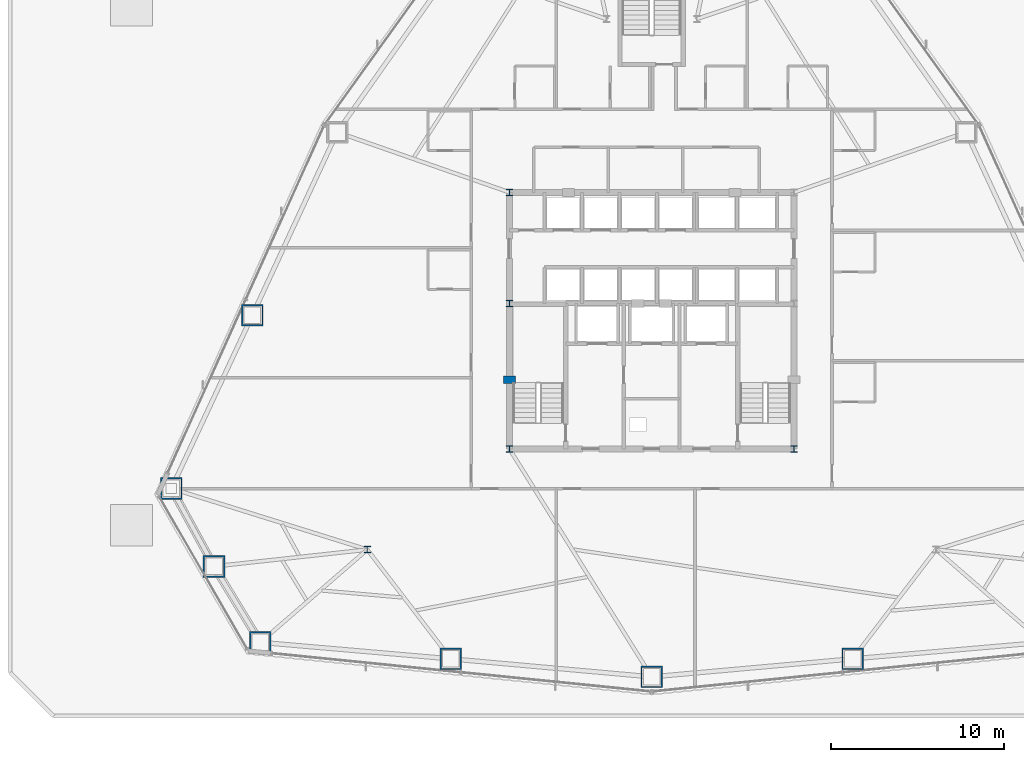
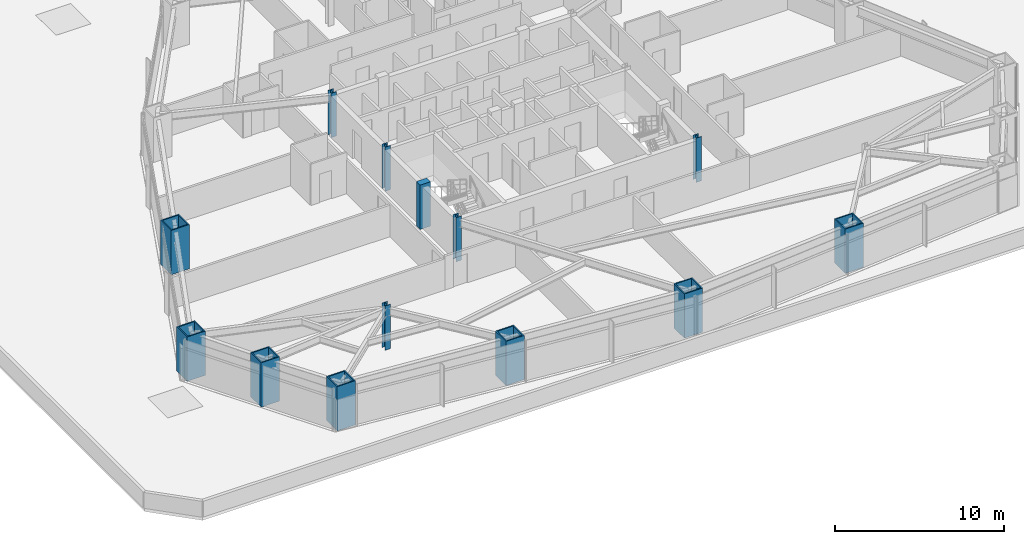
# One storey, part 1 of 17: 13 columns.
"""IFC4 building model written with IfcOpenShell, lengths in metres."""

from ifc_helpers import new_model, si_unit, direction, frame, origin, origin_2d, place, context, subcontext, project, spatial, rectangle, hollow_rectangle, i_section, extrude, material, material_profile, profile_set, type_object, element, save


model = new_model("IFC4")

# Units and contexts
model_context = context("Model", 3, precision=1e-05, world=origin(), true_north=direction((0.0, 1.0)))
body_context = subcontext(model_context, "Body", "Model", "MODEL_VIEW")
ifc_project = project(units=[si_unit("LENGTHUNIT", "METRE"), si_unit("AREAUNIT", "SQUARE_METRE"), si_unit("VOLUMEUNIT", "CUBIC_METRE"), si_unit("PLANEANGLEUNIT", "RADIAN"), si_unit("MASSUNIT", "GRAM", prefix="KILO")], contexts=[model_context])

# Site, building, storey
site_placement = place(None, origin())
site = spatial("IfcSite", under=ifc_project, at=site_placement, CompositionType="ELEMENT")
building_placement = place(site_placement, origin())
building = spatial("IfcBuilding", under=site, at=building_placement, Name="Varakhsha Concourse Tower", CompositionType="ELEMENT")
storey_placement = place(building_placement, frame((0.0, 0.0, 27.199951171875)))
storey = spatial("IfcBuildingStorey", under=building, at=storey_placement, Name="L06", CompositionType="ELEMENT", Elevation=27.199951171875)

# Columns
ifc_material_1 = material(Name="Structural Steel ASTM A992 Grade 50", Category="steel")
ifc_material_profile_1 = material_profile(ifc_material_1, i_section(OverallWidth=0.3740234375, OverallDepth=0.3720703125, WebThickness=0.01611328125, FlangeThickness=0.02587890625, at=origin_2d()), Name="W14X132")
ifc_profile_set_1 = profile_set([ifc_material_profile_1], Name="Structural Steel ASTM A992 Grade 50")
column_type_1 = type_object("IfcColumnType", Name="CL-CORE-W14X132", PredefinedType="COLUMN", material=ifc_profile_set_1)
for number, where, z_axis, x_axis, name in (
    (1, (31.800048828125, 16.39990234375, 0.0), (0.0, 0.0, 1.0), (1.0, 0.0, 0.0), "L06 Core Column CC-SW"),
    (2, (48.199951171875, 16.39990234375, 0.0), (0.0, 0.0, 1.0), (1.0, 0.0, 0.0), "L06 Core Column CC-SE"),
    (3, (31.800048828125, 24.800048828125, 0.0), (0.0, 0.0, 1.0), (1.0, 0.0, 0.0), "L06 Core Column CC-MW"),
    (4, (31.800048828125, 31.199951171875, 0.0), (0.0, 0.0, 1.0), (1.0, 0.0, 0.0), "L06 Core Column CC-NW"),
    (5, (23.60009765625, 10.60009765625, 0.0), (0.0, 0.0, 1.0), (1.0, 0.0, 0.0), "L06 Core Column SS-W"),
):
    element("IfcColumn", number, at=place(storey_placement, frame(where, z_axis=z_axis, x_axis=x_axis)), inside=storey, type_object=column_type_1, Name=name, PredefinedType="COLUMN", context=body_context, shape_type="SweptSolid", body=[
        extrude(i_section(OverallWidth=0.3740234375, OverallDepth=0.3720703125, WebThickness=0.01611328125, FlangeThickness=0.02587890625, at=origin_2d()), origin(), (0.0, 0.0, 1.0), 3.199951171875),
    ])
ifc_material_2 = material(Name="Concrete fc 65 MPa", Category="concrete")
ifc_material_profile_2 = material_profile(ifc_material_2, rectangle(XDim=0.699951171875, YDim=0.449951171875, at=origin_2d()), Name="RC 700x450")
ifc_profile_set_2 = profile_set([ifc_material_profile_2], Name="Concrete fc 65 MPa")
column_type_2 = type_object("IfcColumnType", Name="CL-PIL-700X450", PredefinedType="PILASTER", material=ifc_profile_set_2)
column_placement = place(storey_placement, frame((31.800048828125, 20.39990234375, 0.0), z_axis=(0.0, 0.0, 1.0), x_axis=(1.0, 0.0, 0.0)))
element("IfcColumn", 6, at=column_placement, inside=storey, type_object=column_type_2, Name="L06 Core Boundary Pilaster PIL-W1", PredefinedType="PILASTER", context=body_context, shape_type="SweptSolid", body=[
    extrude(rectangle(XDim=0.699951171875, YDim=0.449951171875, at=origin_2d()), origin(), (0.0, 0.0, 1.0), 3.199951171875),
])
ifc_material_3 = material(Name="Structural Steel ASTM A572 Grade 50", Category="steel")
ifc_material_profile_3 = material_profile(ifc_material_3, hollow_rectangle(XDim=1.25, YDim=1.25, WallThickness=0.080078125, at=origin_2d()), Name="BOX 1250x1250x80")
ifc_profile_set_3 = profile_set([ifc_material_profile_3], Name="Structural Steel ASTM A572 Grade 50")
column_type_3 = type_object("IfcColumnType", Name="CL-TUBE-1250", PredefinedType="COLUMN", material=ifc_profile_set_3)
for number, where, z_axis, x_axis, name in (
    (7, (16.972900390625, 24.116455078125, 0.0), (0.0, 0.0, 1.0), (1.0, 0.0, 0.0), "L06 Framed-Tube Column TC06"),
    (8, (12.302734375, 14.125732421875, 0.0), (0.0, 0.0, 1.0), (1.0, 0.0, 0.0), "L06 Framed-Tube Column TC07"),
    (9, (14.763916015625, 9.6298828125, 0.0), (0.0, 0.0, 1.0), (1.0, 0.0, 0.0), "L06 Framed-Tube Column TC08"),
    (10, (17.427001953125, 5.250732421875, 0.0), (0.0, 0.0, 1.0), (1.0, 0.0, 0.0), "L06 Framed-Tube Column TC09"),
    (11, (28.4140625, 4.299560546875, 0.0), (0.0, 0.0, 1.0), (1.0, 0.0, 0.0), "L06 Framed-Tube Column TC10"),
    (12, (40.0, 3.260009765625, 0.0), (0.0, 0.0, 1.0), (1.0, 0.0, 0.0), "L06 Framed-Tube Column TC11"),
    (13, (51.5859375, 4.299560546875, 0.0), (0.0, 0.0, 1.0), (1.0, 0.0, 0.0), "L06 Framed-Tube Column TC12"),
):
    element("IfcColumn", number, at=place(storey_placement, frame(where, z_axis=z_axis, x_axis=x_axis)), inside=storey, type_object=column_type_3, Name=name, PredefinedType="COLUMN", context=body_context, shape_type="SweptSolid", body=[
        extrude(hollow_rectangle(XDim=1.25, YDim=1.25, WallThickness=0.080078125, at=origin_2d()), origin(), (0.0, 0.0, 1.0), 3.199951171875),
    ])

save(model, "model.ifc")
